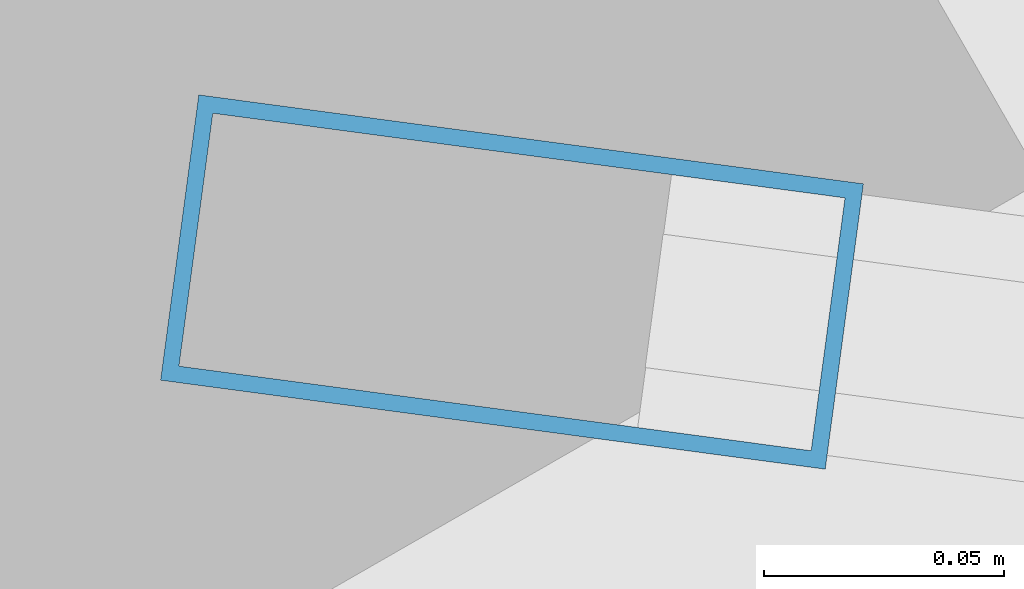
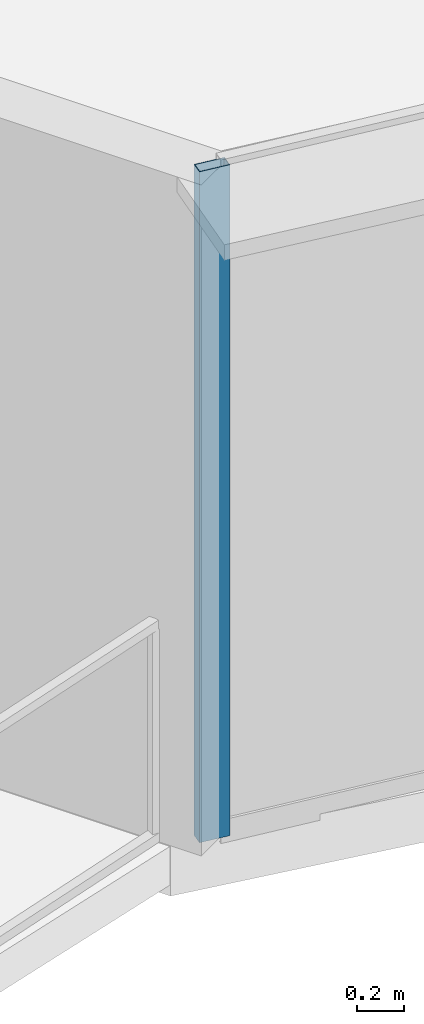
# One storey, part 2 of 37: 1 member, 1 element without a shape of its own.
"""IFC4 building model written with IfcOpenShell, lengths in metres."""

from ifc_helpers import new_model, si_unit, direction, frame, origin, origin_2d, place, context, subcontext, project, spatial, hollow_rectangle, extrude, source, transform, mapped, material, layer, layer_set, material_profile, profile_set, type_object, element, aggregate, save


model = new_model("IFC4")

# Units and contexts
model_context = context("Model", 3, precision=1e-05, world=origin(), true_north=direction((0.0, 1.0)))
body_context = subcontext(model_context, "Body", "Model", "MODEL_VIEW")
ifc_project = project(units=[si_unit("LENGTHUNIT", "METRE"), si_unit("AREAUNIT", "SQUARE_METRE"), si_unit("VOLUMEUNIT", "CUBIC_METRE"), si_unit("PLANEANGLEUNIT", "RADIAN"), si_unit("MASSUNIT", "GRAM", prefix="KILO"), si_unit("THERMODYNAMICTEMPERATUREUNIT", "KELVIN"), si_unit("POWERUNIT", "WATT")], contexts=[model_context])

# Site, building, storey
site_placement = place(None, origin())
site = spatial("IfcSite", under=ifc_project, at=site_placement, CompositionType="ELEMENT")
building_placement = place(site_placement, origin())
building = spatial("IfcBuilding", under=site, at=building_placement, Name="Yunzhuo Pagoda Commons", CompositionType="ELEMENT")
storey_placement = place(building_placement, frame((0.0, 0.0, 259.449951171875)))
storey = spatial("IfcBuildingStorey", under=building, at=storey_placement, Name="L65", CompositionType="ELEMENT", Elevation=259.449951171875)

# Curtain wall, member
ifc_material = material(Name="Anodized aluminium 6063-T6", Category="aluminium")
ifc_layer = layer(ifc_material, 0.139892578125)
ifc_layer_set = layer_set([ifc_layer], Name="Anodized aluminium 6063-T6")
curtain_wall_type = type_object("IfcCurtainWallType", Name="CW-HI High-Zone Ribbon Curtain Wall", PredefinedType="NOTDEFINED", material=ifc_layer_set)
curtain_wall_placement = place(storey_placement, origin())
curtain_wall = element("IfcCurtainWall", 1, at=curtain_wall_placement, inside=storey, type_object=curtain_wall_type, Name="L65 curtain wall CW-L65-F1B1", PredefinedType="NOTDEFINED")
ifc_material_profile = material_profile(ifc_material, hollow_rectangle(XDim=0.06005859375, YDim=0.139892578125, WallThickness=0.00341796875, at=origin_2d()), Name="Anodized aluminium 6063-T6")
ifc_profile_set = profile_set([ifc_material_profile], Name="Anodized aluminium 6063-T6")
member_type = type_object("IfcMemberType", Name="CW-HI-M Mullion RHS 140x60x3.5", PredefinedType="MULLION", material=ifc_profile_set)
shared_shape = source(origin(), body_context, "Body", "SweptSolid", [
    extrude(hollow_rectangle(XDim=0.06005859375, YDim=0.139892578125, WallThickness=0.00341796875, at=origin_2d()), origin(), (0.0, 0.0, 1.0), 3.469970703125),
])
member_placement = place(storey_placement, frame((17.4091796875, 19.772216796875, 0.0), z_axis=(0.0, 0.0, 1.0), x_axis=(0.132663916926, 0.991161079314, 0.0)))
member = element("IfcMember", 2, at=member_placement, type_object=member_type, Name="CW mullion 1", PredefinedType="MULLION", context=body_context, shape_type="MappedRepresentation", body=[
    mapped(shared_shape, transform((0.0, 0.0, 0.0), scale=1.0)),
])
aggregate(curtain_wall, [member])

save(model, "model.ifc")
